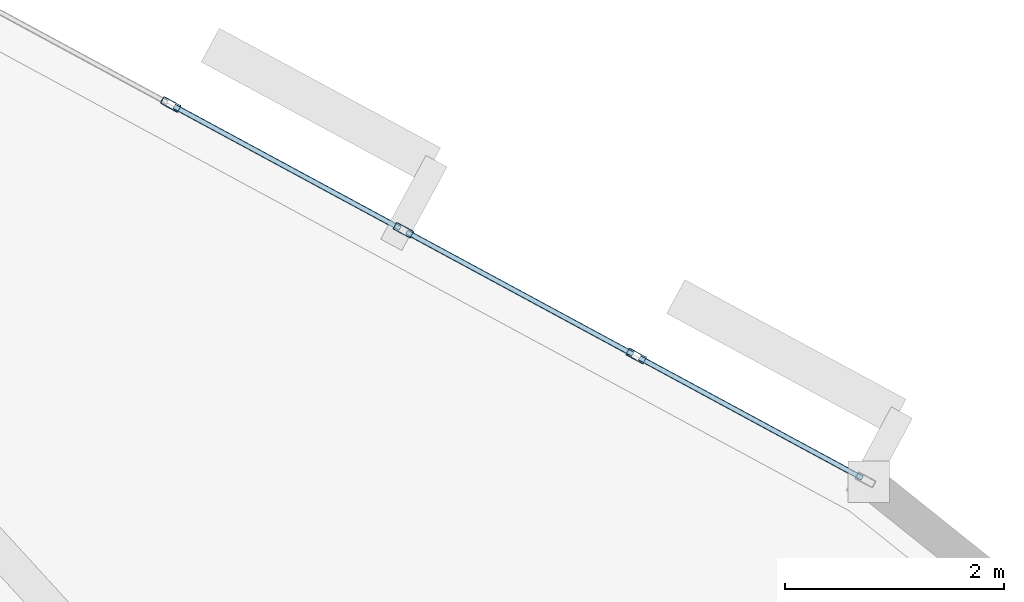
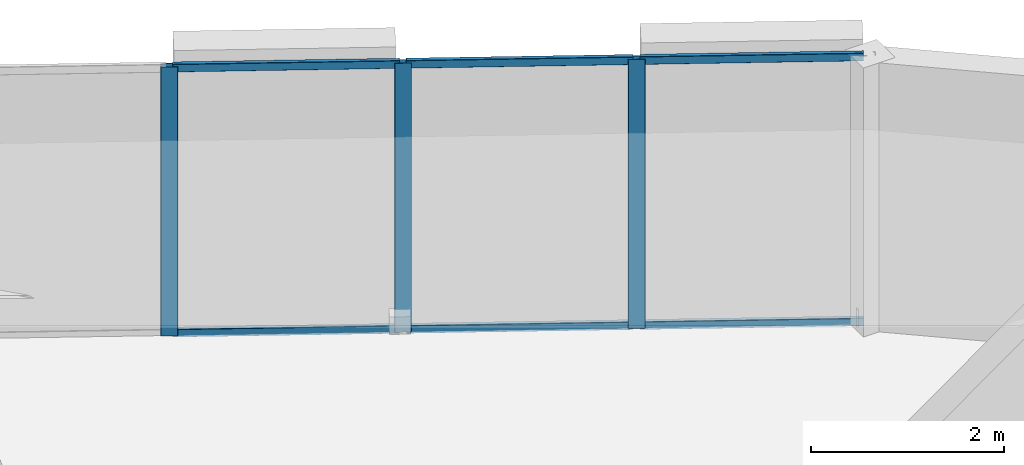
# One storey, part 6 of 14: 9 members, 1 element without a shape of its own.
"""IFC4 building model written with IfcOpenShell, lengths in metres."""

from ifc_helpers import new_model, si_unit, direction, frame, origin, origin_2d, place, context, subcontext, project, spatial, hollow_rectangle, extrude, material, layer, layer_set, material_profile, profile_set, type_object, element, aggregate, save


model = new_model("IFC4")

# Units and contexts
model_context = context("Model", 3, precision=1e-05, world=origin(), true_north=direction((0.0, 1.0)))
body_context = subcontext(model_context, "Body", "Model", "MODEL_VIEW")
ifc_project = project(units=[si_unit("LENGTHUNIT", "METRE"), si_unit("AREAUNIT", "SQUARE_METRE"), si_unit("VOLUMEUNIT", "CUBIC_METRE"), si_unit("PLANEANGLEUNIT", "RADIAN"), si_unit("MASSUNIT", "GRAM", prefix="KILO")], contexts=[model_context])

# Site, building, storey
site_placement = place(None, origin())
site = spatial("IfcSite", under=ifc_project, at=site_placement, CompositionType="ELEMENT")
building_placement = place(site_placement, origin())
building = spatial("IfcBuilding", under=site, at=building_placement, Name="An Khanh Terracotta Commons", CompositionType="ELEMENT")
storey_placement = place(building_placement, frame((0.0, 0.0, 230.10009765625)))
storey = spatial("IfcBuildingStorey", under=building, at=storey_placement, Name="L60", CompositionType="ELEMENT", Elevation=230.10009765625)

# Curtain wall, members
ifc_material = material(Name="Anodised Aluminium 6063-T6", Category="aluminium")
ifc_layer = layer(ifc_material, 0.2099609375, Name="Anodised Aluminium 6063-T6")
ifc_layer_set = layer_set([ifc_layer], Name="Anodised Aluminium 6063-T6")
curtain_wall_type = type_object("IfcCurtainWallType", Name="CW-SYS-03", PredefinedType="USERDEFINED", material=ifc_layer_set)
curtain_wall_placement = place(storey_placement, origin())
curtain_wall = element("IfcCurtainWall", 1, at=curtain_wall_placement, inside=storey, type_object=curtain_wall_type, Name="L60 CW-03 Unitised Curtain Wall CW-L60-16", ObjectType="UNITISED CURTAIN WALL", PredefinedType="USERDEFINED")
ifc_material_profile_1 = material_profile(ifc_material, hollow_rectangle(XDim=0.070068359375, YDim=0.179931640625, WallThickness=0.00390625, InnerFilletRadius=0.00390625, OuterFilletRadius=0.008056640625, at=origin_2d()), Name="RHS180x70x4")
ifc_profile_set_1 = profile_set([ifc_material_profile_1], Name="Anodised Aluminium 6063-T6")
member_type_1 = type_object("IfcMemberType", Name="CWM-RHS180x70x4", PredefinedType="MULLION", material=ifc_profile_set_1)
member_1_placement = place(storey_placement, frame((63.7431640625, 35.624267578125, 0.0), z_axis=(0.0, 0.0, 1.0), x_axis=(-0.47538088298, -0.879780095306, 0.0)))
member_1 = element("IfcMember", 2, at=member_1_placement, type_object=member_type_1, Name="CW-03 mullion 2", PredefinedType="MULLION", context=body_context, shape_type="SweptSolid", body=[
    extrude(hollow_rectangle(XDim=0.070068359375, YDim=0.179931640625, WallThickness=0.00390625, InnerFilletRadius=0.00390625, OuterFilletRadius=0.008056640625, at=origin_2d()), origin(), (0.0, 0.0, 1.0), 3.39990234375),
])
member_2_placement = place(storey_placement, frame((61.614501953125, 36.7744140625, 0.0), z_axis=(0.0, 0.0, 1.0), x_axis=(-0.47538088298, -0.879780095306, 0.0)))
member_2 = element("IfcMember", 3, at=member_2_placement, type_object=member_type_1, Name="CW-03 mullion 3", PredefinedType="MULLION", context=body_context, shape_type="SweptSolid", body=[
    extrude(hollow_rectangle(XDim=0.070068359375, YDim=0.179931640625, WallThickness=0.00390625, InnerFilletRadius=0.00390625, OuterFilletRadius=0.008056640625, at=origin_2d()), origin(), (0.0, 0.0, 1.0), 3.39990234375),
])
member_3_placement = place(storey_placement, frame((59.48583984375, 37.9248046875, 0.0), z_axis=(0.0, 0.0, 1.0), x_axis=(-0.47538088298, -0.879780095306, 0.0)))
member_3 = element("IfcMember", 4, at=member_3_placement, type_object=member_type_1, Name="CW-03 mullion 4", PredefinedType="MULLION", context=body_context, shape_type="SweptSolid", body=[
    extrude(hollow_rectangle(XDim=0.070068359375, YDim=0.179931640625, WallThickness=0.00390625, InnerFilletRadius=0.00390625, OuterFilletRadius=0.008056640625, at=origin_2d()), origin(), (0.0, 0.0, 1.0), 3.39990234375),
])
ifc_material_profile_2 = material_profile(ifc_material, hollow_rectangle(XDim=0.050048828125, YDim=0.10009765625, WallThickness=0.003173828125, InnerFilletRadius=0.003173828125, OuterFilletRadius=0.00634765625, at=origin_2d()), Name="RHS100x50x3.2")
ifc_profile_set_2 = profile_set([ifc_material_profile_2], Name="Anodised Aluminium 6063-T6")
member_type_2 = type_object("IfcMemberType", Name="CWT-RHS100x50x3.2", PredefinedType="USERDEFINED", material=ifc_profile_set_2)
member_4_placement = place(storey_placement, frame((65.810302734375, 34.50732421875, 0.02490234375), z_axis=(-0.879779245677, 0.475382455373, 0.0), x_axis=(-0.475382455373, -0.879779245677, 0.0)))
member_4 = element("IfcMember", 5, at=member_4_placement, type_object=member_type_2, Name="CW-03 transom 1.1", ObjectType="TRANSOM", PredefinedType="USERDEFINED", context=body_context, shape_type="SweptSolid", body=[
    extrude(hollow_rectangle(XDim=0.050048828125, YDim=0.10009765625, WallThickness=0.003173828125, InnerFilletRadius=0.003173828125, OuterFilletRadius=0.00634765625, at=origin_2d()), origin(), (0.0, 0.0, 1.0), 2.314697265625),
])
member_5_placement = place(storey_placement, frame((65.810302734375, 34.50732421875, 3.375), z_axis=(-0.879779245677, 0.475382455373, 0.0), x_axis=(-0.475382455373, -0.879779245677, 0.0)))
member_5 = element("IfcMember", 6, at=member_5_placement, type_object=member_type_2, Name="CW-03 transom 1.2", ObjectType="TRANSOM", PredefinedType="USERDEFINED", context=body_context, shape_type="SweptSolid", body=[
    extrude(hollow_rectangle(XDim=0.050048828125, YDim=0.10009765625, WallThickness=0.003173828125, InnerFilletRadius=0.003173828125, OuterFilletRadius=0.00634765625, at=origin_2d()), origin(), (0.0, 0.0, 1.0), 2.314697265625),
])
member_6_placement = place(storey_placement, frame((63.71240234375, 35.640869140625, 0.02490234375), z_axis=(-0.879782861449, 0.475375763686, 0.0), x_axis=(-0.475375763686, -0.879782861449, 0.0)))
member_6 = element("IfcMember", 7, at=member_6_placement, type_object=member_type_2, Name="CW-03 transom 2.1", ObjectType="TRANSOM", PredefinedType="USERDEFINED", context=body_context, shape_type="SweptSolid", body=[
    extrude(hollow_rectangle(XDim=0.050048828125, YDim=0.10009765625, WallThickness=0.003173828125, InnerFilletRadius=0.003173828125, OuterFilletRadius=0.00634765625, at=origin_2d()), origin(), (0.0, 0.0, 1.0), 2.349609375),
])
member_7_placement = place(storey_placement, frame((63.71240234375, 35.640869140625, 3.375), z_axis=(-0.879782861449, 0.475375763686, 0.0), x_axis=(-0.475375763686, -0.879782861449, 0.0)))
member_7 = element("IfcMember", 8, at=member_7_placement, type_object=member_type_2, Name="CW-03 transom 2.2", ObjectType="TRANSOM", PredefinedType="USERDEFINED", context=body_context, shape_type="SweptSolid", body=[
    extrude(hollow_rectangle(XDim=0.050048828125, YDim=0.10009765625, WallThickness=0.003173828125, InnerFilletRadius=0.003173828125, OuterFilletRadius=0.00634765625, at=origin_2d()), origin(), (0.0, 0.0, 1.0), 2.349609375),
])
member_8_placement = place(storey_placement, frame((61.583740234375, 36.791259765625, 0.02490234375), z_axis=(-0.879782861449, 0.475375763686, 0.0), x_axis=(-0.475375763686, -0.879782861449, 0.0)))
member_8 = element("IfcMember", 9, at=member_8_placement, type_object=member_type_2, Name="CW-03 transom 3.1", ObjectType="TRANSOM", PredefinedType="USERDEFINED", context=body_context, shape_type="SweptSolid", body=[
    extrude(hollow_rectangle(XDim=0.050048828125, YDim=0.10009765625, WallThickness=0.003173828125, InnerFilletRadius=0.003173828125, OuterFilletRadius=0.00634765625, at=origin_2d()), origin(), (0.0, 0.0, 1.0), 2.349609375),
])
member_9_placement = place(storey_placement, frame((61.583740234375, 36.791259765625, 3.375), z_axis=(-0.879782861449, 0.475375763686, 0.0), x_axis=(-0.475375763686, -0.879782861449, 0.0)))
member_9 = element("IfcMember", 10, at=member_9_placement, type_object=member_type_2, Name="CW-03 transom 3.2", ObjectType="TRANSOM", PredefinedType="USERDEFINED", context=body_context, shape_type="SweptSolid", body=[
    extrude(hollow_rectangle(XDim=0.050048828125, YDim=0.10009765625, WallThickness=0.003173828125, InnerFilletRadius=0.003173828125, OuterFilletRadius=0.00634765625, at=origin_2d()), origin(), (0.0, 0.0, 1.0), 2.349609375),
])
aggregate(curtain_wall, [member_1, member_2, member_3, member_4, member_5, member_6, member_7, member_8, member_9])

save(model, "model.ifc")
